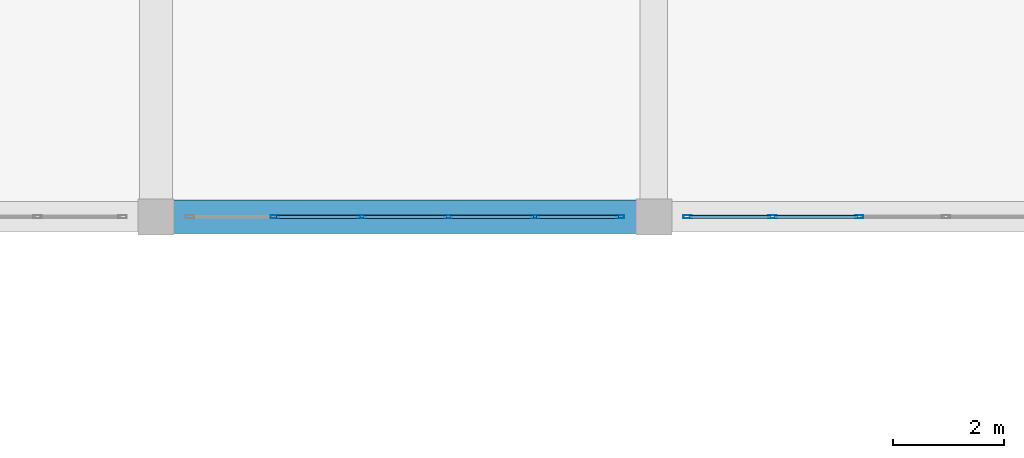
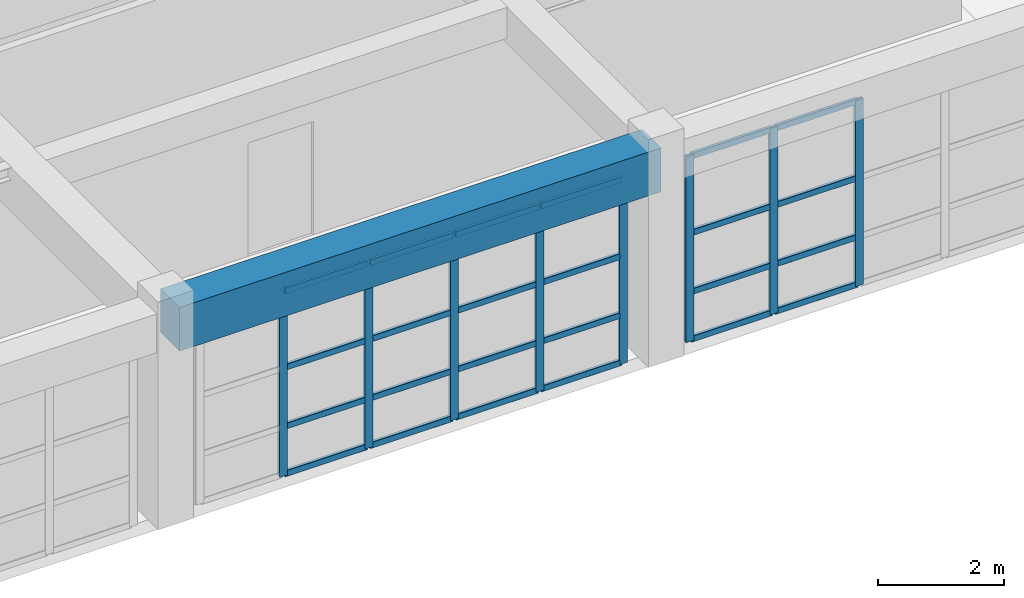
# One storey, part 80 of 133: 32 members, 1 beam, 2 elements without a shape of their own.
"""IFC4 building model written with IfcOpenShell, lengths in metres."""

from ifc_helpers import new_model, si_unit, direction, frame, origin, origin_2d, place, context, subcontext, project, spatial, rectangle, hollow_rectangle, extrude, material, material_profile, profile_set, type_object, element, aggregate, save


model = new_model("IFC4")

# Units and contexts
model_context = context("Model", 3, precision=1e-05, world=origin(), true_north=direction((0.0, 1.0)))
body_context = subcontext(model_context, "Body", "Model", "MODEL_VIEW")
ifc_project = project(units=[si_unit("LENGTHUNIT", "METRE"), si_unit("AREAUNIT", "SQUARE_METRE"), si_unit("VOLUMEUNIT", "CUBIC_METRE"), si_unit("PLANEANGLEUNIT", "RADIAN"), si_unit("MASSUNIT", "GRAM", prefix="KILO")], contexts=[model_context])

# Site, building, storey
site_placement = place(None, origin())
site = spatial("IfcSite", under=ifc_project, at=site_placement, CompositionType="ELEMENT")
building_placement = place(site_placement, origin())
building = spatial("IfcBuilding", under=site, at=building_placement, Name="Miravela Opera House", CompositionType="ELEMENT")
storey_placement = place(building_placement, frame((0.0, 0.0, 5.10009765625)))
storey = spatial("IfcBuildingStorey", under=building, at=storey_placement, Name="L01", CompositionType="ELEMENT", Elevation=5.10009765625)

# Curtain wall, members
ifc_material_1 = material(Name="Anodised architectural bronze aluminium 6063-T6", Category="aluminium")
curtain_wall_type = type_object("IfcCurtainWallType", Name="ARC-CW-06", PredefinedType="NOTDEFINED", material=ifc_material_1)
curtain_wall_1_placement = place(storey_placement, origin())
curtain_wall_1 = element("IfcCurtainWall", 1, at=curtain_wall_1_placement, inside=storey, type_object=curtain_wall_type, Name="Courtyard Arcade Curtain Wall CW-L01-174", PredefinedType="NOTDEFINED")
ifc_material_profile_1 = material_profile(ifc_material_1, hollow_rectangle(XDim=0.06005859375, YDim=0.14990234375, WallThickness=0.00390625, InnerFilletRadius=0.001953125, OuterFilletRadius=0.00390625, at=origin_2d()), Name="CWM-60X150")
ifc_profile_set_1 = profile_set([ifc_material_profile_1])
member_type_1 = type_object("IfcMemberType", Name="ARC-CWM-150", PredefinedType="MULLION", material=ifc_profile_set_1)
member_1_placement = place(storey_placement, frame((128.14794921875, 28.0, 0.0), z_axis=(0.0, 0.0, 1.0), x_axis=(0.0, 1.0, 0.0)))
member_1 = element("IfcMember", 2, at=member_1_placement, type_object=member_type_1, Name="CW-06 mullion 2", PredefinedType="MULLION", context=body_context, shape_type="SweptSolid", body=[
    extrude(hollow_rectangle(XDim=0.06005859375, YDim=0.14990234375, WallThickness=0.00390625, InnerFilletRadius=0.001953125, OuterFilletRadius=0.00390625, at=origin_2d()), origin(), (0.0, 0.0, 1.0), 3.60986328125),
])
member_2_placement = place(storey_placement, frame((129.716064453125, 28.0, 0.0), z_axis=(0.0, 0.0, 1.0), x_axis=(0.0, 1.0, 0.0)))
member_2 = element("IfcMember", 3, at=member_2_placement, type_object=member_type_1, Name="CW-06 mullion 3", PredefinedType="MULLION", context=body_context, shape_type="SweptSolid", body=[
    extrude(hollow_rectangle(XDim=0.06005859375, YDim=0.14990234375, WallThickness=0.00390625, InnerFilletRadius=0.001953125, OuterFilletRadius=0.00390625, at=origin_2d()), origin(), (0.0, 0.0, 1.0), 3.60986328125),
])
member_3_placement = place(storey_placement, frame((131.283935546875, 28.0, 0.0), z_axis=(0.0, 0.0, 1.0), x_axis=(0.0, 1.0, 0.0)))
member_3 = element("IfcMember", 4, at=member_3_placement, type_object=member_type_1, Name="CW-06 mullion 4", PredefinedType="MULLION", context=body_context, shape_type="SweptSolid", body=[
    extrude(hollow_rectangle(XDim=0.06005859375, YDim=0.14990234375, WallThickness=0.00390625, InnerFilletRadius=0.001953125, OuterFilletRadius=0.00390625, at=origin_2d()), origin(), (0.0, 0.0, 1.0), 3.60986328125),
])
member_4_placement = place(storey_placement, frame((132.85205078125, 28.0, 0.0), z_axis=(0.0, 0.0, 1.0), x_axis=(0.0, 1.0, 0.0)))
member_4 = element("IfcMember", 5, at=member_4_placement, type_object=member_type_1, Name="CW-06 mullion 5", PredefinedType="MULLION", context=body_context, shape_type="SweptSolid", body=[
    extrude(hollow_rectangle(XDim=0.06005859375, YDim=0.14990234375, WallThickness=0.00390625, InnerFilletRadius=0.001953125, OuterFilletRadius=0.00390625, at=origin_2d()), origin(), (0.0, 0.0, 1.0), 3.60986328125),
])
member_5_placement = place(storey_placement, frame((134.389892578125, 28.0, 0.0), z_axis=(0.0, 0.0, 1.0), x_axis=(0.0, 1.0, 0.0)))
member_5 = element("IfcMember", 6, at=member_5_placement, type_object=member_type_1, Name="CW-06 mullion 6", PredefinedType="MULLION", context=body_context, shape_type="SweptSolid", body=[
    extrude(hollow_rectangle(XDim=0.06005859375, YDim=0.14990234375, WallThickness=0.00390625, InnerFilletRadius=0.001953125, OuterFilletRadius=0.00390625, at=origin_2d()), origin(), (0.0, 0.0, 1.0), 3.60986328125),
])

curtain_wall_2_placement = place(storey_placement, origin())
curtain_wall_2 = element("IfcCurtainWall", 7, at=curtain_wall_2_placement, inside=storey, type_object=curtain_wall_type, Name="Courtyard Arcade Curtain Wall CW-L01-178", PredefinedType="NOTDEFINED")
member_6_placement = place(storey_placement, frame((135.610107421875, 28.0, 0.0), z_axis=(0.0, 0.0, 1.0), x_axis=(0.0, 1.0, 0.0)))
member_6 = element("IfcMember", 8, at=member_6_placement, type_object=member_type_1, Name="CW-06 mullion 1", PredefinedType="MULLION", context=body_context, shape_type="SweptSolid", body=[
    extrude(hollow_rectangle(XDim=0.06005859375, YDim=0.14990234375, WallThickness=0.00390625, InnerFilletRadius=0.001953125, OuterFilletRadius=0.00390625, at=origin_2d()), origin(), (0.0, 0.0, 1.0), 3.60986328125),
])
member_7_placement = place(storey_placement, frame((137.14794921875, 28.0, 0.0), z_axis=(0.0, 0.0, 1.0), x_axis=(0.0, 1.0, 0.0)))
member_7 = element("IfcMember", 9, at=member_7_placement, type_object=member_type_1, Name="CW-06 mullion 2", PredefinedType="MULLION", context=body_context, shape_type="SweptSolid", body=[
    extrude(hollow_rectangle(XDim=0.06005859375, YDim=0.14990234375, WallThickness=0.00390625, InnerFilletRadius=0.001953125, OuterFilletRadius=0.00390625, at=origin_2d()), origin(), (0.0, 0.0, 1.0), 3.60986328125),
])
member_8_placement = place(storey_placement, frame((138.716064453125, 28.0, 0.0), z_axis=(0.0, 0.0, 1.0), x_axis=(0.0, 1.0, 0.0)))
member_8 = element("IfcMember", 10, at=member_8_placement, type_object=member_type_1, Name="CW-06 mullion 3", PredefinedType="MULLION", context=body_context, shape_type="SweptSolid", body=[
    extrude(hollow_rectangle(XDim=0.06005859375, YDim=0.14990234375, WallThickness=0.00390625, InnerFilletRadius=0.001953125, OuterFilletRadius=0.00390625, at=origin_2d()), origin(), (0.0, 0.0, 1.0), 3.60986328125),
])

# Member
ifc_material_profile_2 = material_profile(ifc_material_1, hollow_rectangle(XDim=0.06005859375, YDim=0.114990234375, WallThickness=0.00390625, InnerFilletRadius=0.001953125, OuterFilletRadius=0.00390625, at=origin_2d()), Name="CWT-60X115")
ifc_profile_set_2 = profile_set([ifc_material_profile_2])
member_type_2 = type_object("IfcMemberType", Name="ARC-CWT-115", PredefinedType="USERDEFINED", material=ifc_profile_set_2)
member_9_placement = place(storey_placement, frame((128.177978515625, 28.0, 0.02978515625), z_axis=(1.0, 0.0, 0.0), x_axis=(0.0, 1.0, 0.0)))
member_9 = element("IfcMember", 11, at=member_9_placement, type_object=member_type_2, Name="CW-06 transom 2.1", ObjectType="TRANSOM", PredefinedType="USERDEFINED", context=body_context, shape_type="SweptSolid", body=[
    extrude(hollow_rectangle(XDim=0.06005859375, YDim=0.114990234375, WallThickness=0.00390625, InnerFilletRadius=0.001953125, OuterFilletRadius=0.00390625, at=origin_2d()), origin(), (0.0, 0.0, 1.0), 1.508056640625),
])

member_10_placement = place(storey_placement, frame((128.177978515625, 28.0, 0.949951171875), z_axis=(1.0, 0.0, 0.0), x_axis=(0.0, 1.0, 0.0)))
member_10 = element("IfcMember", 12, at=member_10_placement, type_object=member_type_2, Name="CW-06 transom 2.2", ObjectType="TRANSOM", PredefinedType="USERDEFINED", context=body_context, shape_type="SweptSolid", body=[
    extrude(hollow_rectangle(XDim=0.06005859375, YDim=0.114990234375, WallThickness=0.00390625, InnerFilletRadius=0.001953125, OuterFilletRadius=0.00390625, at=origin_2d()), origin(), (0.0, 0.0, 1.0), 1.508056640625),
])

member_11_placement = place(storey_placement, frame((128.177978515625, 28.0, 2.09375), z_axis=(1.0, 0.0, 0.0), x_axis=(0.0, 1.0, 0.0)))
member_11 = element("IfcMember", 13, at=member_11_placement, type_object=member_type_2, Name="CW-06 transom 2.3", ObjectType="TRANSOM", PredefinedType="USERDEFINED", context=body_context, shape_type="SweptSolid", body=[
    extrude(hollow_rectangle(XDim=0.06005859375, YDim=0.114990234375, WallThickness=0.00390625, InnerFilletRadius=0.001953125, OuterFilletRadius=0.00390625, at=origin_2d()), origin(), (0.0, 0.0, 1.0), 1.508056640625),
])

member_12_placement = place(storey_placement, frame((128.177978515625, 28.0, 3.579833984375), z_axis=(1.0, 0.0, 0.0), x_axis=(0.0, 1.0, 0.0)))
member_12 = element("IfcMember", 14, at=member_12_placement, type_object=member_type_2, Name="CW-06 transom 2.4", ObjectType="TRANSOM", PredefinedType="USERDEFINED", context=body_context, shape_type="SweptSolid", body=[
    extrude(hollow_rectangle(XDim=0.06005859375, YDim=0.114990234375, WallThickness=0.00390625, InnerFilletRadius=0.001953125, OuterFilletRadius=0.00390625, at=origin_2d()), origin(), (0.0, 0.0, 1.0), 1.508056640625),
])

member_13_placement = place(storey_placement, frame((129.74609375, 28.0, 0.02978515625), z_axis=(1.0, 0.0, 0.0), x_axis=(0.0, 1.0, 0.0)))
member_13 = element("IfcMember", 15, at=member_13_placement, type_object=member_type_2, Name="CW-06 transom 3.1", ObjectType="TRANSOM", PredefinedType="USERDEFINED", context=body_context, shape_type="SweptSolid", body=[
    extrude(hollow_rectangle(XDim=0.06005859375, YDim=0.114990234375, WallThickness=0.00390625, InnerFilletRadius=0.001953125, OuterFilletRadius=0.00390625, at=origin_2d()), origin(), (0.0, 0.0, 1.0), 1.5078125),
])

member_14_placement = place(storey_placement, frame((129.74609375, 28.0, 0.949951171875), z_axis=(1.0, 0.0, 0.0), x_axis=(0.0, 1.0, 0.0)))
member_14 = element("IfcMember", 16, at=member_14_placement, type_object=member_type_2, Name="CW-06 transom 3.2", ObjectType="TRANSOM", PredefinedType="USERDEFINED", context=body_context, shape_type="SweptSolid", body=[
    extrude(hollow_rectangle(XDim=0.06005859375, YDim=0.114990234375, WallThickness=0.00390625, InnerFilletRadius=0.001953125, OuterFilletRadius=0.00390625, at=origin_2d()), origin(), (0.0, 0.0, 1.0), 1.5078125),
])

member_15_placement = place(storey_placement, frame((129.74609375, 28.0, 2.09375), z_axis=(1.0, 0.0, 0.0), x_axis=(0.0, 1.0, 0.0)))
member_15 = element("IfcMember", 17, at=member_15_placement, type_object=member_type_2, Name="CW-06 transom 3.3", ObjectType="TRANSOM", PredefinedType="USERDEFINED", context=body_context, shape_type="SweptSolid", body=[
    extrude(hollow_rectangle(XDim=0.06005859375, YDim=0.114990234375, WallThickness=0.00390625, InnerFilletRadius=0.001953125, OuterFilletRadius=0.00390625, at=origin_2d()), origin(), (0.0, 0.0, 1.0), 1.5078125),
])

member_16_placement = place(storey_placement, frame((129.74609375, 28.0, 3.579833984375), z_axis=(1.0, 0.0, 0.0), x_axis=(0.0, 1.0, 0.0)))
member_16 = element("IfcMember", 18, at=member_16_placement, type_object=member_type_2, Name="CW-06 transom 3.4", ObjectType="TRANSOM", PredefinedType="USERDEFINED", context=body_context, shape_type="SweptSolid", body=[
    extrude(hollow_rectangle(XDim=0.06005859375, YDim=0.114990234375, WallThickness=0.00390625, InnerFilletRadius=0.001953125, OuterFilletRadius=0.00390625, at=origin_2d()), origin(), (0.0, 0.0, 1.0), 1.5078125),
])

member_17_placement = place(storey_placement, frame((131.31396484375, 28.0, 0.02978515625), z_axis=(1.0, 0.0, 0.0), x_axis=(0.0, 1.0, 0.0)))
member_17 = element("IfcMember", 19, at=member_17_placement, type_object=member_type_2, Name="CW-06 transom 4.1", ObjectType="TRANSOM", PredefinedType="USERDEFINED", context=body_context, shape_type="SweptSolid", body=[
    extrude(hollow_rectangle(XDim=0.06005859375, YDim=0.114990234375, WallThickness=0.00390625, InnerFilletRadius=0.001953125, OuterFilletRadius=0.00390625, at=origin_2d()), origin(), (0.0, 0.0, 1.0), 1.508056640625),
])

member_18_placement = place(storey_placement, frame((131.31396484375, 28.0, 0.949951171875), z_axis=(1.0, 0.0, 0.0), x_axis=(0.0, 1.0, 0.0)))
member_18 = element("IfcMember", 20, at=member_18_placement, type_object=member_type_2, Name="CW-06 transom 4.2", ObjectType="TRANSOM", PredefinedType="USERDEFINED", context=body_context, shape_type="SweptSolid", body=[
    extrude(hollow_rectangle(XDim=0.06005859375, YDim=0.114990234375, WallThickness=0.00390625, InnerFilletRadius=0.001953125, OuterFilletRadius=0.00390625, at=origin_2d()), origin(), (0.0, 0.0, 1.0), 1.508056640625),
])

member_19_placement = place(storey_placement, frame((131.31396484375, 28.0, 2.09375), z_axis=(1.0, 0.0, 0.0), x_axis=(0.0, 1.0, 0.0)))
member_19 = element("IfcMember", 21, at=member_19_placement, type_object=member_type_2, Name="CW-06 transom 4.3", ObjectType="TRANSOM", PredefinedType="USERDEFINED", context=body_context, shape_type="SweptSolid", body=[
    extrude(hollow_rectangle(XDim=0.06005859375, YDim=0.114990234375, WallThickness=0.00390625, InnerFilletRadius=0.001953125, OuterFilletRadius=0.00390625, at=origin_2d()), origin(), (0.0, 0.0, 1.0), 1.508056640625),
])

member_20_placement = place(storey_placement, frame((131.31396484375, 28.0, 3.579833984375), z_axis=(1.0, 0.0, 0.0), x_axis=(0.0, 1.0, 0.0)))
member_20 = element("IfcMember", 22, at=member_20_placement, type_object=member_type_2, Name="CW-06 transom 4.4", ObjectType="TRANSOM", PredefinedType="USERDEFINED", context=body_context, shape_type="SweptSolid", body=[
    extrude(hollow_rectangle(XDim=0.06005859375, YDim=0.114990234375, WallThickness=0.00390625, InnerFilletRadius=0.001953125, OuterFilletRadius=0.00390625, at=origin_2d()), origin(), (0.0, 0.0, 1.0), 1.508056640625),
])

member_21_placement = place(storey_placement, frame((132.882080078125, 28.0, 0.02978515625), z_axis=(1.0, 0.0, 0.0), x_axis=(0.0, 1.0, 0.0)))
member_21 = element("IfcMember", 23, at=member_21_placement, type_object=member_type_2, Name="CW-06 transom 5.1", ObjectType="TRANSOM", PredefinedType="USERDEFINED", context=body_context, shape_type="SweptSolid", body=[
    extrude(hollow_rectangle(XDim=0.06005859375, YDim=0.114990234375, WallThickness=0.00390625, InnerFilletRadius=0.001953125, OuterFilletRadius=0.00390625, at=origin_2d()), origin(), (0.0, 0.0, 1.0), 1.47802734375),
])

member_22_placement = place(storey_placement, frame((132.882080078125, 28.0, 0.949951171875), z_axis=(1.0, 0.0, 0.0), x_axis=(0.0, 1.0, 0.0)))
member_22 = element("IfcMember", 24, at=member_22_placement, type_object=member_type_2, Name="CW-06 transom 5.2", ObjectType="TRANSOM", PredefinedType="USERDEFINED", context=body_context, shape_type="SweptSolid", body=[
    extrude(hollow_rectangle(XDim=0.06005859375, YDim=0.114990234375, WallThickness=0.00390625, InnerFilletRadius=0.001953125, OuterFilletRadius=0.00390625, at=origin_2d()), origin(), (0.0, 0.0, 1.0), 1.47802734375),
])

member_23_placement = place(storey_placement, frame((132.882080078125, 28.0, 2.09375), z_axis=(1.0, 0.0, 0.0), x_axis=(0.0, 1.0, 0.0)))
member_23 = element("IfcMember", 25, at=member_23_placement, type_object=member_type_2, Name="CW-06 transom 5.3", ObjectType="TRANSOM", PredefinedType="USERDEFINED", context=body_context, shape_type="SweptSolid", body=[
    extrude(hollow_rectangle(XDim=0.06005859375, YDim=0.114990234375, WallThickness=0.00390625, InnerFilletRadius=0.001953125, OuterFilletRadius=0.00390625, at=origin_2d()), origin(), (0.0, 0.0, 1.0), 1.47802734375),
])

member_24_placement = place(storey_placement, frame((132.882080078125, 28.0, 3.579833984375), z_axis=(1.0, 0.0, 0.0), x_axis=(0.0, 1.0, 0.0)))
member_24 = element("IfcMember", 26, at=member_24_placement, type_object=member_type_2, Name="CW-06 transom 5.4", ObjectType="TRANSOM", PredefinedType="USERDEFINED", context=body_context, shape_type="SweptSolid", body=[
    extrude(hollow_rectangle(XDim=0.06005859375, YDim=0.114990234375, WallThickness=0.00390625, InnerFilletRadius=0.001953125, OuterFilletRadius=0.00390625, at=origin_2d()), origin(), (0.0, 0.0, 1.0), 1.47802734375),
])

aggregate(curtain_wall_1, [member_1, member_2, member_3, member_4, member_5, member_9, member_10, member_11, member_12, member_13, member_14, member_15, member_16, member_17, member_18, member_19, member_20, member_21, member_22, member_23, member_24])

member_25_placement = place(storey_placement, frame((135.639892578125, 28.0, 0.02978515625), z_axis=(1.0, 0.0, 0.0), x_axis=(0.0, 1.0, 0.0)))
member_25 = element("IfcMember", 27, at=member_25_placement, type_object=member_type_2, Name="CW-06 transom 1.1", ObjectType="TRANSOM", PredefinedType="USERDEFINED", context=body_context, shape_type="SweptSolid", body=[
    extrude(hollow_rectangle(XDim=0.06005859375, YDim=0.114990234375, WallThickness=0.00390625, InnerFilletRadius=0.001953125, OuterFilletRadius=0.00390625, at=origin_2d()), origin(), (0.0, 0.0, 1.0), 1.47802734375),
])

member_26_placement = place(storey_placement, frame((135.639892578125, 28.0, 0.949951171875), z_axis=(1.0, 0.0, 0.0), x_axis=(0.0, 1.0, 0.0)))
member_26 = element("IfcMember", 28, at=member_26_placement, type_object=member_type_2, Name="CW-06 transom 1.2", ObjectType="TRANSOM", PredefinedType="USERDEFINED", context=body_context, shape_type="SweptSolid", body=[
    extrude(hollow_rectangle(XDim=0.06005859375, YDim=0.114990234375, WallThickness=0.00390625, InnerFilletRadius=0.001953125, OuterFilletRadius=0.00390625, at=origin_2d()), origin(), (0.0, 0.0, 1.0), 1.47802734375),
])

member_27_placement = place(storey_placement, frame((135.639892578125, 28.0, 2.09375), z_axis=(1.0, 0.0, 0.0), x_axis=(0.0, 1.0, 0.0)))
member_27 = element("IfcMember", 29, at=member_27_placement, type_object=member_type_2, Name="CW-06 transom 1.3", ObjectType="TRANSOM", PredefinedType="USERDEFINED", context=body_context, shape_type="SweptSolid", body=[
    extrude(hollow_rectangle(XDim=0.06005859375, YDim=0.114990234375, WallThickness=0.00390625, InnerFilletRadius=0.001953125, OuterFilletRadius=0.00390625, at=origin_2d()), origin(), (0.0, 0.0, 1.0), 1.47802734375),
])

member_28_placement = place(storey_placement, frame((135.639892578125, 28.0, 3.579833984375), z_axis=(1.0, 0.0, 0.0), x_axis=(0.0, 1.0, 0.0)))
member_28 = element("IfcMember", 30, at=member_28_placement, type_object=member_type_2, Name="CW-06 transom 1.4", ObjectType="TRANSOM", PredefinedType="USERDEFINED", context=body_context, shape_type="SweptSolid", body=[
    extrude(hollow_rectangle(XDim=0.06005859375, YDim=0.114990234375, WallThickness=0.00390625, InnerFilletRadius=0.001953125, OuterFilletRadius=0.00390625, at=origin_2d()), origin(), (0.0, 0.0, 1.0), 1.47802734375),
])

member_29_placement = place(storey_placement, frame((137.177978515625, 28.0, 0.02978515625), z_axis=(1.0, 0.0, 0.0), x_axis=(0.0, 1.0, 0.0)))
member_29 = element("IfcMember", 31, at=member_29_placement, type_object=member_type_2, Name="CW-06 transom 2.1", ObjectType="TRANSOM", PredefinedType="USERDEFINED", context=body_context, shape_type="SweptSolid", body=[
    extrude(hollow_rectangle(XDim=0.06005859375, YDim=0.114990234375, WallThickness=0.00390625, InnerFilletRadius=0.001953125, OuterFilletRadius=0.00390625, at=origin_2d()), origin(), (0.0, 0.0, 1.0), 1.508056640625),
])

member_30_placement = place(storey_placement, frame((137.177978515625, 28.0, 0.949951171875), z_axis=(1.0, 0.0, 0.0), x_axis=(0.0, 1.0, 0.0)))
member_30 = element("IfcMember", 32, at=member_30_placement, type_object=member_type_2, Name="CW-06 transom 2.2", ObjectType="TRANSOM", PredefinedType="USERDEFINED", context=body_context, shape_type="SweptSolid", body=[
    extrude(hollow_rectangle(XDim=0.06005859375, YDim=0.114990234375, WallThickness=0.00390625, InnerFilletRadius=0.001953125, OuterFilletRadius=0.00390625, at=origin_2d()), origin(), (0.0, 0.0, 1.0), 1.508056640625),
])

member_31_placement = place(storey_placement, frame((137.177978515625, 28.0, 2.09375), z_axis=(1.0, 0.0, 0.0), x_axis=(0.0, 1.0, 0.0)))
member_31 = element("IfcMember", 33, at=member_31_placement, type_object=member_type_2, Name="CW-06 transom 2.3", ObjectType="TRANSOM", PredefinedType="USERDEFINED", context=body_context, shape_type="SweptSolid", body=[
    extrude(hollow_rectangle(XDim=0.06005859375, YDim=0.114990234375, WallThickness=0.00390625, InnerFilletRadius=0.001953125, OuterFilletRadius=0.00390625, at=origin_2d()), origin(), (0.0, 0.0, 1.0), 1.508056640625),
])

member_32_placement = place(storey_placement, frame((137.177978515625, 28.0, 3.579833984375), z_axis=(1.0, 0.0, 0.0), x_axis=(0.0, 1.0, 0.0)))
member_32 = element("IfcMember", 34, at=member_32_placement, type_object=member_type_2, Name="CW-06 transom 2.4", ObjectType="TRANSOM", PredefinedType="USERDEFINED", context=body_context, shape_type="SweptSolid", body=[
    extrude(hollow_rectangle(XDim=0.06005859375, YDim=0.114990234375, WallThickness=0.00390625, InnerFilletRadius=0.001953125, OuterFilletRadius=0.00390625, at=origin_2d()), origin(), (0.0, 0.0, 1.0), 1.508056640625),
])

aggregate(curtain_wall_2, [member_6, member_7, member_8, member_25, member_26, member_27, member_28, member_29, member_30, member_31, member_32])

# Beam
ifc_material_2 = material(Name="Concrete C40/50", Category="concrete")
ifc_material_profile_3 = material_profile(ifc_material_2, rectangle(XDim=0.60009765625, YDim=0.85009765625, at=origin_2d()), Name="RC-BM-600X850")
ifc_profile_set_3 = profile_set([ifc_material_profile_3])
beam_type = type_object("IfcBeamType", Name="STR-BM-RC600X850", PredefinedType="BEAM", material=ifc_profile_set_3)
beam_placement = place(storey_placement, frame((126.080078125, 28.0, 3.73486328125), z_axis=(1.0, 0.0, 0.0), x_axis=(0.0, 1.0, 0.0)))
element("IfcBeam", 35, at=beam_placement, inside=storey, type_object=beam_type, Name="Floor Girder L01 15-16/D", PredefinedType="BEAM", context=body_context, shape_type="SweptSolid", body=[
    extrude(rectangle(XDim=0.60009765625, YDim=0.85009765625, at=origin_2d()), origin(), (0.0, 0.0, 1.0), 8.83984375),
])

save(model, "model.ifc")
